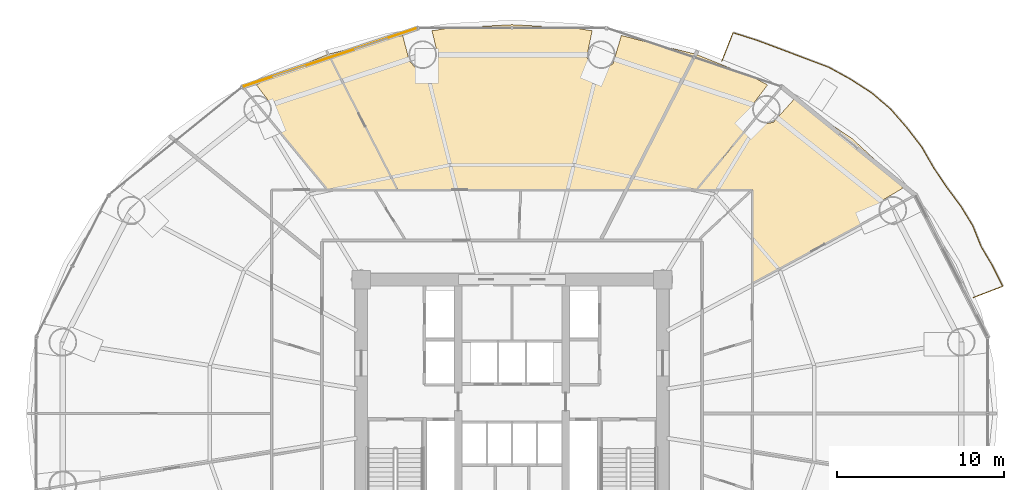
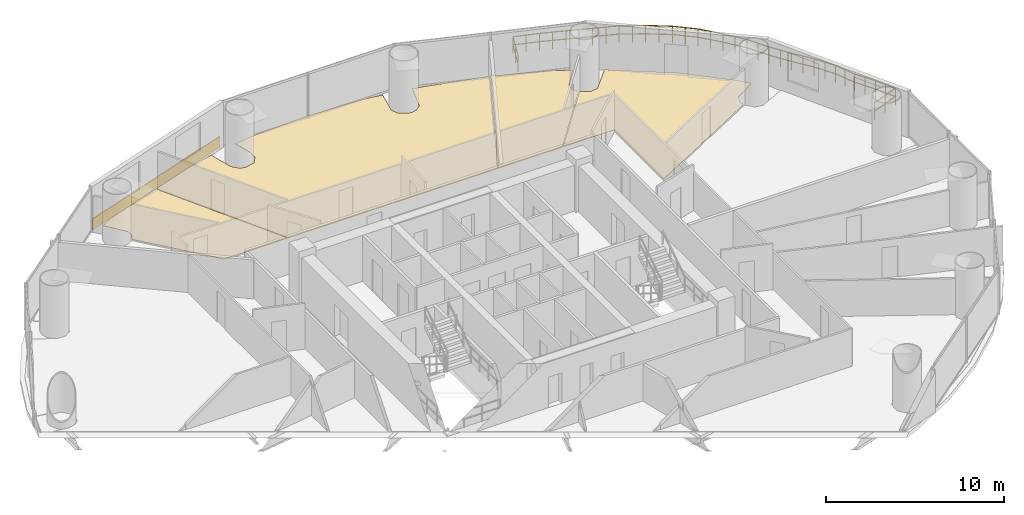
# One storey, part 29 of 29: 5 coverings, 1 railing.
"""IFC4 building model written with IfcOpenShell, lengths in metres."""

from ifc_helpers import new_model, si_unit, direction, frame, origin, origin_2d, place, context, subcontext, project, spatial, polyline, rectangle, outline, extrude, source, transform, mapped, material, layer, layer_set, type_object, element, save


model = new_model("IFC4")

# Units and contexts
model_context = context("Model", 3, precision=1e-05, world=origin(), true_north=direction((-0.2419218956, 0.970295726276)))
body_context = subcontext(model_context, "Body", "Model", "MODEL_VIEW")
ifc_project = project(units=[si_unit("LENGTHUNIT", "METRE"), si_unit("AREAUNIT", "SQUARE_METRE"), si_unit("VOLUMEUNIT", "CUBIC_METRE"), si_unit("PLANEANGLEUNIT", "RADIAN"), si_unit("MASSUNIT", "GRAM", prefix="KILO")], contexts=[model_context])

# Site, building, storey
site_placement = place(None, origin())
site = spatial("IfcSite", under=ifc_project, at=site_placement, CompositionType="ELEMENT")
building_placement = place(site_placement, origin())
building = spatial("IfcBuilding", under=site, at=building_placement, Name="Cobrevalo Terracotta Tower", CompositionType="ELEMENT")
storey_placement = place(building_placement, frame((0.0, 0.0, 70.800048828125)))
storey = spatial("IfcBuildingStorey", under=building, at=storey_placement, Name="L18", CompositionType="ELEMENT", Elevation=70.800048828125)

# Railing
ifc_material_1 = material(Name="Laminated structural glass and stainless steel", Category="steel")
railing_type = type_object("IfcRailingType", Name="Balcony lobe structural glass & terracotta-cap balustrade 1180 mm", PredefinedType="BALUSTRADE", material=ifc_material_1)
railing_placement = place(storey_placement, frame((65.560791015625, 33.728515625, 0.0)))
element("IfcRailing", 1, at=railing_placement, inside=storey, type_object=railing_type, Name="L18 spiralling balcony lobe balustrade 1", PredefinedType="BALUSTRADE", context=body_context, shape_type="SweptSolid", body=[
    extrude(rectangle(XDim=0.048095703125, YDim=0.048095703125, at=origin_2d()), frame((0.0, 0.0, 1.15576171875), z_axis=(0.933954290556, 0.35739247775, 0.0), x_axis=(-0.35739247775, 0.933954290556, 0.0)), (0.0, 0.0, 1.0), 1.866943359375),
    extrude(rectangle(XDim=0.048095703125, YDim=0.048095703125, at=origin_2d()), frame((0.0, 0.0, 0.58984375), z_axis=(0.933954290556, 0.35739247775, 0.0), x_axis=(-0.35739247775, 0.933954290556, 0.0)), (0.0, 0.0, 1.0), 1.866943359375),
    extrude(rectangle(XDim=0.048095703125, YDim=0.048095703125, at=origin_2d()), frame((1.74365234375, 0.667236328125, 1.15576171875), z_axis=(-0.446559708263, 0.894753835955, 0.0), x_axis=(-0.894753835955, -0.446559708263, 0.0)), (0.0, 0.0, 1.0), 1.344482421875),
    extrude(rectangle(XDim=0.048095703125, YDim=0.048095703125, at=origin_2d()), frame((1.74365234375, 0.667236328125, 0.58984375), z_axis=(-0.446559708263, 0.894753835955, 0.0), x_axis=(-0.894753835955, -0.446559708263, 0.0)), (0.0, 0.0, 1.0), 1.344482421875),
    extrude(rectangle(XDim=0.048095703125, YDim=0.048095703125, at=origin_2d()), frame((1.143310546875, 1.8701171875, 1.15576171875), z_axis=(-0.508643381431, 0.860977299658, 0.0), x_axis=(-0.860977299658, -0.508643381431, 0.0)), (0.0, 0.0, 1.0), 1.340087890625),
    extrude(rectangle(XDim=0.048095703125, YDim=0.048095703125, at=origin_2d()), frame((1.143310546875, 1.8701171875, 0.58984375), z_axis=(-0.508643381431, 0.860977299658, 0.0), x_axis=(-0.860977299658, -0.508643381431, 0.0)), (0.0, 0.0, 1.0), 1.340087890625),
    extrude(rectangle(XDim=0.048095703125, YDim=0.048095703125, at=origin_2d()), frame((0.461669921875, 3.02392578125, 1.15576171875), z_axis=(-0.375068994527, 0.926996898239, 0.0), x_axis=(-0.926996898239, -0.375068994527, 0.0)), (0.0, 0.0, 1.0), 1.3720703125),
    extrude(rectangle(XDim=0.048095703125, YDim=0.048095703125, at=origin_2d()), frame((0.461669921875, 3.02392578125, 0.58984375), z_axis=(-0.375068994527, 0.926996898239, 0.0), x_axis=(-0.926996898239, -0.375068994527, 0.0)), (0.0, 0.0, 1.0), 1.3720703125),
    extrude(rectangle(XDim=0.048095703125, YDim=0.048095703125, at=origin_2d()), frame((-0.052978515625, 4.2958984375, 1.15576171875), z_axis=(-0.521811507393, 0.853060813045, 0.0), x_axis=(-0.853060813045, -0.521811507393, 0.0)), (0.0, 0.0, 1.0), 1.36572265625),
    extrude(rectangle(XDim=0.048095703125, YDim=0.048095703125, at=origin_2d()), frame((-0.052978515625, 4.2958984375, 0.58984375), z_axis=(-0.521811507393, 0.853060813045, 0.0), x_axis=(-0.853060813045, -0.521811507393, 0.0)), (0.0, 0.0, 1.0), 1.36572265625),
    extrude(rectangle(XDim=0.048095703125, YDim=0.048095703125, at=origin_2d()), frame((-0.765625, 5.4609375, 1.15576171875), z_axis=(-0.597821956166, 0.801628909612, 0.0), x_axis=(-0.801628909612, -0.597821956166, 0.0)), (0.0, 0.0, 1.0), 1.38232421875),
    extrude(rectangle(XDim=0.048095703125, YDim=0.048095703125, at=origin_2d()), frame((-0.765625, 5.4609375, 0.58984375), z_axis=(-0.597821956166, 0.801628909612, 0.0), x_axis=(-0.801628909612, -0.597821956166, 0.0)), (0.0, 0.0, 1.0), 1.38232421875),
    extrude(rectangle(XDim=0.048095703125, YDim=0.048095703125, at=origin_2d()), frame((-1.592041015625, 6.569091796875, 1.15576171875), z_axis=(-0.558466109692, 0.829527337901, 0.0), x_axis=(-0.829527337901, -0.558466109692, 0.0)), (0.0, 0.0, 1.0), 1.404052734375),
    extrude(rectangle(XDim=0.048095703125, YDim=0.048095703125, at=origin_2d()), frame((-1.592041015625, 6.569091796875, 0.58984375), z_axis=(-0.558466109692, 0.829527337901, 0.0), x_axis=(-0.829527337901, -0.558466109692, 0.0)), (0.0, 0.0, 1.0), 1.404052734375),
    extrude(rectangle(XDim=0.048095703125, YDim=0.048095703125, at=origin_2d()), frame((-2.376220703125, 7.73388671875, 1.15576171875), z_axis=(-0.497268614856, 0.867596637084, 0.0), x_axis=(-0.867596637084, -0.497268614856, 0.0)), (0.0, 0.0, 1.0), 1.4423828125),
    extrude(rectangle(XDim=0.048095703125, YDim=0.048095703125, at=origin_2d()), frame((-2.376220703125, 7.73388671875, 0.58984375), z_axis=(-0.497268614856, 0.867596637084, 0.0), x_axis=(-0.867596637084, -0.497268614856, 0.0)), (0.0, 0.0, 1.0), 1.4423828125),
    extrude(rectangle(XDim=0.048095703125, YDim=0.048095703125, at=origin_2d()), frame((-3.093505859375, 8.9853515625, 1.15576171875), z_axis=(-0.610973457455, 0.79165108115, 0.0), x_axis=(-0.79165108115, -0.610973457455, 0.0)), (0.0, 0.0, 1.0), 1.466064453125),
    extrude(rectangle(XDim=0.048095703125, YDim=0.048095703125, at=origin_2d()), frame((-3.093505859375, 8.9853515625, 0.58984375), z_axis=(-0.610973457455, 0.79165108115, 0.0), x_axis=(-0.79165108115, -0.610973457455, 0.0)), (0.0, 0.0, 1.0), 1.466064453125),
    extrude(rectangle(XDim=0.048095703125, YDim=0.048095703125, at=origin_2d()), frame((-3.9892578125, 10.14599609375, 1.15576171875), z_axis=(-0.656871952191, 0.754002147494, 0.0), x_axis=(-0.754002147494, -0.656871952191, 0.0)), (0.0, 0.0, 1.0), 1.472900390625),
    extrude(rectangle(XDim=0.048095703125, YDim=0.048095703125, at=origin_2d()), frame((-3.9892578125, 10.14599609375, 0.58984375), z_axis=(-0.656871952191, 0.754002147494, 0.0), x_axis=(-0.754002147494, -0.656871952191, 0.0)), (0.0, 0.0, 1.0), 1.472900390625),
    extrude(rectangle(XDim=0.048095703125, YDim=0.048095703125, at=origin_2d()), frame((-4.956787109375, 11.256591796875, 1.15576171875), z_axis=(-0.759826028351, 0.650126454346, 0.0), x_axis=(-0.650126454346, -0.759826028351, 0.0)), (0.0, 0.0, 1.0), 1.482177734375),
    extrude(rectangle(XDim=0.048095703125, YDim=0.048095703125, at=origin_2d()), frame((-4.956787109375, 11.256591796875, 0.58984375), z_axis=(-0.759826028351, 0.650126454346, 0.0), x_axis=(-0.650126454346, -0.759826028351, 0.0)), (0.0, 0.0, 1.0), 1.482177734375),
    extrude(rectangle(XDim=0.048095703125, YDim=0.048095703125, at=origin_2d()), frame((-6.0830078125, 12.22021484375, 1.15576171875), z_axis=(-0.840834497113, 0.54129229485, 0.0), x_axis=(-0.54129229485, -0.840834497113, 0.0)), (0.0, 0.0, 1.0), 1.499755859375),
    extrude(rectangle(XDim=0.048095703125, YDim=0.048095703125, at=origin_2d()), frame((-6.0830078125, 12.22021484375, 0.58984375), z_axis=(-0.840834497113, 0.54129229485, 0.0), x_axis=(-0.54129229485, -0.840834497113, 0.0)), (0.0, 0.0, 1.0), 1.499755859375),
    extrude(rectangle(XDim=0.048095703125, YDim=0.048095703125, at=origin_2d()), frame((-7.343994140625, 13.031982421875, 1.15576171875), z_axis=(-0.875887634911, 0.482515130343, 0.0), x_axis=(-0.482515130343, -0.875887634911, 0.0)), (0.0, 0.0, 1.0), 1.49267578125),
    extrude(rectangle(XDim=0.048095703125, YDim=0.048095703125, at=origin_2d()), frame((-7.343994140625, 13.031982421875, 0.58984375), z_axis=(-0.875887634911, 0.482515130343, 0.0), x_axis=(-0.482515130343, -0.875887634911, 0.0)), (0.0, 0.0, 1.0), 1.49267578125),
    extrude(rectangle(XDim=0.048095703125, YDim=0.048095703125, at=origin_2d()), frame((-8.6513671875, 13.752197265625, 1.15576171875), z_axis=(-0.936198337969, 0.351472149656, 0.0), x_axis=(-0.351472149656, -0.936198337969, 0.0)), (0.0, 0.0, 1.0), 1.534423828125),
    extrude(rectangle(XDim=0.048095703125, YDim=0.048095703125, at=origin_2d()), frame((-8.6513671875, 13.752197265625, 0.58984375), z_axis=(-0.936198337969, 0.351472149656, 0.0), x_axis=(-0.351472149656, -0.936198337969, 0.0)), (0.0, 0.0, 1.0), 1.534423828125),
    extrude(rectangle(XDim=0.048095703125, YDim=0.048095703125, at=origin_2d()), frame((-10.087890625, 14.29150390625, 1.15576171875), z_axis=(-0.935135939184, 0.354289112514, 0.0), x_axis=(-0.354289112514, -0.935135939184, 0.0)), (0.0, 0.0, 1.0), 1.511962890625),
    extrude(rectangle(XDim=0.048095703125, YDim=0.048095703125, at=origin_2d()), frame((-10.087890625, 14.29150390625, 0.58984375), z_axis=(-0.935135939184, 0.354289112514, 0.0), x_axis=(-0.354289112514, -0.935135939184, 0.0)), (0.0, 0.0, 1.0), 1.511962890625),
    extrude(rectangle(XDim=0.048095703125, YDim=0.048095703125, at=origin_2d()), frame((-11.501708984375, 14.8271484375, 1.15576171875), z_axis=(-0.937059257897, 0.349170369863, 0.0), x_axis=(-0.349170369863, -0.937059257897, 0.0)), (0.0, 0.0, 1.0), 1.507568359375),
    extrude(rectangle(XDim=0.048095703125, YDim=0.048095703125, at=origin_2d()), frame((-11.501708984375, 14.8271484375, 0.58984375), z_axis=(-0.937059257897, 0.349170369863, 0.0), x_axis=(-0.349170369863, -0.937059257897, 0.0)), (0.0, 0.0, 1.0), 1.507568359375),
    extrude(rectangle(XDim=0.048095703125, YDim=0.048095703125, at=origin_2d()), frame((-12.914306640625, 15.353515625, 1.15576171875), z_axis=(-0.95280757695, 0.303574902299, 0.0), x_axis=(-0.303574902299, -0.95280757695, 0.0)), (0.0, 0.0, 1.0), 1.52001953125),
    extrude(rectangle(XDim=0.048095703125, YDim=0.048095703125, at=origin_2d()), frame((-12.914306640625, 15.353515625, 0.58984375), z_axis=(-0.95280757695, 0.303574902299, 0.0), x_axis=(-0.303574902299, -0.95280757695, 0.0)), (0.0, 0.0, 1.0), 1.52001953125),
    extrude(rectangle(XDim=0.048095703125, YDim=0.048095703125, at=origin_2d()), frame((-14.362548828125, 15.81494140625, 1.15576171875), z_axis=(-0.364631079954, -0.931152068962, 0.0), x_axis=(0.931152068962, -0.364631079954, 0.0)), (0.0, 0.0, 1.0), 1.8271484375),
    extrude(rectangle(XDim=0.048095703125, YDim=0.048095703125, at=origin_2d()), frame((-14.362548828125, 15.81494140625, 0.58984375), z_axis=(-0.364631079954, -0.931152068962, 0.0), x_axis=(0.931152068962, -0.364631079954, 0.0)), (0.0, 0.0, 1.0), 1.8271484375),
    extrude(rectangle(XDim=0.0419921875, YDim=0.0419921875, at=origin_2d()), origin(), (0.0, 0.0, 1.0), 1.1318359375),
    extrude(rectangle(XDim=0.0419921875, YDim=0.0419921875, at=origin_2d()), frame((0.871826171875, 0.33349609375, 0.0)), (0.0, 0.0, 1.0), 1.1318359375),
    extrude(rectangle(XDim=0.0419921875, YDim=0.0419921875, at=origin_2d()), frame((1.74365234375, 0.667236328125, 0.0)), (0.0, 0.0, 1.0), 1.1318359375),
    extrude(rectangle(XDim=0.0419921875, YDim=0.0419921875, at=origin_2d()), frame((1.443359375, 1.2685546875, 0.0)), (0.0, 0.0, 1.0), 1.1318359375),
    extrude(rectangle(XDim=0.0419921875, YDim=0.0419921875, at=origin_2d()), frame((1.143310546875, 1.8701171875, 0.0)), (0.0, 0.0, 1.0), 1.1318359375),
    extrude(rectangle(XDim=0.0419921875, YDim=0.0419921875, at=origin_2d()), frame((0.802490234375, 2.447021484375, 0.0)), (0.0, 0.0, 1.0), 1.1318359375),
    extrude(rectangle(XDim=0.0419921875, YDim=0.0419921875, at=origin_2d()), frame((0.461669921875, 3.02392578125, 0.0)), (0.0, 0.0, 1.0), 1.1318359375),
    extrude(rectangle(XDim=0.0419921875, YDim=0.0419921875, at=origin_2d()), frame((0.204345703125, 3.659912109375, 0.0)), (0.0, 0.0, 1.0), 1.1318359375),
    extrude(rectangle(XDim=0.0419921875, YDim=0.0419921875, at=origin_2d()), frame((-0.052978515625, 4.2958984375, 0.0)), (0.0, 0.0, 1.0), 1.1318359375),
    extrude(rectangle(XDim=0.0419921875, YDim=0.0419921875, at=origin_2d()), frame((-0.4091796875, 4.87841796875, 0.0)), (0.0, 0.0, 1.0), 1.1318359375),
    extrude(rectangle(XDim=0.0419921875, YDim=0.0419921875, at=origin_2d()), frame((-0.765625, 5.4609375, 0.0)), (0.0, 0.0, 1.0), 1.1318359375),
    extrude(rectangle(XDim=0.0419921875, YDim=0.0419921875, at=origin_2d()), frame((-1.1787109375, 6.01513671875, 0.0)), (0.0, 0.0, 1.0), 1.1318359375),
    extrude(rectangle(XDim=0.0419921875, YDim=0.0419921875, at=origin_2d()), frame((-1.592041015625, 6.569091796875, 0.0)), (0.0, 0.0, 1.0), 1.1318359375),
    extrude(rectangle(XDim=0.0419921875, YDim=0.0419921875, at=origin_2d()), frame((-1.984130859375, 7.1513671875, 0.0)), (0.0, 0.0, 1.0), 1.1318359375),
    extrude(rectangle(XDim=0.0419921875, YDim=0.0419921875, at=origin_2d()), frame((-2.376220703125, 7.73388671875, 0.0)), (0.0, 0.0, 1.0), 1.1318359375),
    extrude(rectangle(XDim=0.0419921875, YDim=0.0419921875, at=origin_2d()), frame((-2.73486328125, 8.359619140625, 0.0)), (0.0, 0.0, 1.0), 1.1318359375),
    extrude(rectangle(XDim=0.0419921875, YDim=0.0419921875, at=origin_2d()), frame((-3.093505859375, 8.9853515625, 0.0)), (0.0, 0.0, 1.0), 1.1318359375),
    extrude(rectangle(XDim=0.0419921875, YDim=0.0419921875, at=origin_2d()), frame((-3.54150390625, 9.565673828125, 0.0)), (0.0, 0.0, 1.0), 1.1318359375),
    extrude(rectangle(XDim=0.0419921875, YDim=0.0419921875, at=origin_2d()), frame((-3.9892578125, 10.14599609375, 0.0)), (0.0, 0.0, 1.0), 1.1318359375),
    extrude(rectangle(XDim=0.0419921875, YDim=0.0419921875, at=origin_2d()), frame((-4.47314453125, 10.701171875, 0.0)), (0.0, 0.0, 1.0), 1.1318359375),
    extrude(rectangle(XDim=0.0419921875, YDim=0.0419921875, at=origin_2d()), frame((-4.956787109375, 11.256591796875, 0.0)), (0.0, 0.0, 1.0), 1.1318359375),
    extrude(rectangle(XDim=0.0419921875, YDim=0.0419921875, at=origin_2d()), frame((-5.52001953125, 11.73828125, 0.0)), (0.0, 0.0, 1.0), 1.1318359375),
    extrude(rectangle(XDim=0.0419921875, YDim=0.0419921875, at=origin_2d()), frame((-6.0830078125, 12.22021484375, 0.0)), (0.0, 0.0, 1.0), 1.1318359375),
    extrude(rectangle(XDim=0.0419921875, YDim=0.0419921875, at=origin_2d()), frame((-6.71337890625, 12.6259765625, 0.0)), (0.0, 0.0, 1.0), 1.1318359375),
    extrude(rectangle(XDim=0.0419921875, YDim=0.0419921875, at=origin_2d()), frame((-7.343994140625, 13.031982421875, 0.0)), (0.0, 0.0, 1.0), 1.1318359375),
    extrude(rectangle(XDim=0.0419921875, YDim=0.0419921875, at=origin_2d()), frame((-7.99755859375, 13.39208984375, 0.0)), (0.0, 0.0, 1.0), 1.1318359375),
    extrude(rectangle(XDim=0.0419921875, YDim=0.0419921875, at=origin_2d()), frame((-8.6513671875, 13.752197265625, 0.0)), (0.0, 0.0, 1.0), 1.1318359375),
    extrude(rectangle(XDim=0.0419921875, YDim=0.0419921875, at=origin_2d()), frame((-9.36962890625, 14.02197265625, 0.0)), (0.0, 0.0, 1.0), 1.1318359375),
    extrude(rectangle(XDim=0.0419921875, YDim=0.0419921875, at=origin_2d()), frame((-10.087890625, 14.29150390625, 0.0)), (0.0, 0.0, 1.0), 1.1318359375),
    extrude(rectangle(XDim=0.0419921875, YDim=0.0419921875, at=origin_2d()), frame((-10.794921875, 14.559326171875, 0.0)), (0.0, 0.0, 1.0), 1.1318359375),
    extrude(rectangle(XDim=0.0419921875, YDim=0.0419921875, at=origin_2d()), frame((-11.501708984375, 14.8271484375, 0.0)), (0.0, 0.0, 1.0), 1.1318359375),
    extrude(rectangle(XDim=0.0419921875, YDim=0.0419921875, at=origin_2d()), frame((-12.2080078125, 15.09033203125, 0.0)), (0.0, 0.0, 1.0), 1.1318359375),
    extrude(rectangle(XDim=0.0419921875, YDim=0.0419921875, at=origin_2d()), frame((-12.914306640625, 15.353515625, 0.0)), (0.0, 0.0, 1.0), 1.1318359375),
    extrude(rectangle(XDim=0.0419921875, YDim=0.0419921875, at=origin_2d()), frame((-13.638427734375, 15.584228515625, 0.0)), (0.0, 0.0, 1.0), 1.1318359375),
    extrude(rectangle(XDim=0.0419921875, YDim=0.0419921875, at=origin_2d()), frame((-14.362548828125, 15.81494140625, 0.0)), (0.0, 0.0, 1.0), 1.1318359375),
    extrude(rectangle(XDim=0.0419921875, YDim=0.0419921875, at=origin_2d()), frame((-14.69580078125, 14.96435546875, 0.0)), (0.0, 0.0, 1.0), 1.1318359375),
    extrude(rectangle(XDim=0.0419921875, YDim=0.0419921875, at=origin_2d()), frame((-15.02880859375, 14.113525390625, 0.0)), (0.0, 0.0, 1.0), 1.1318359375),
])

# Coverings
ifc_material_2 = material(Name="Engineered Brazilian hardwood flooring", Category="wood")
ifc_layer_1 = layer(ifc_material_2, 0.028076171875)
ifc_layer_set_1 = layer_set([ifc_layer_1], Name="Engineered Brazilian hardwood flooring")
covering_type_1 = type_object("IfcCoveringType", Name="Engineered Hardwood Suite Flooring 28", PredefinedType="FLOORING", material=ifc_layer_set_1)
covering_1_placement = place(storey_placement, origin())
element("IfcCovering", 2, at=covering_1_placement, inside=storey, type_object=covering_type_1, Name="Flat L18A Penthouse Family Lounge floor finish", PredefinedType="FLOORING", context=body_context, shape_type="SweptSolid", body=[
    extrude(outline(polyline([(58.3095703125, 43.217529296875), (60.786376953125, 40.933837890625), (61.34423828125, 40.2587890625), (60.060791015625, 39.497802734375), (59.864990234375, 39.02587890625), (59.90234375, 38.681884765625), (52.375, 34.606201171875), (52.375, 40.175048828125), (49.054443359375, 40.175048828125), (52.531982421875, 44.392578125), (53.100341796875, 44.092529296875), (53.6025390625, 44.1875), (54.843505859375, 45.567138671875), (58.3095703125, 43.217529296875)])), origin(), (0.0, 0.0, 1.0), 0.030029296875),
])
covering_2_placement = place(storey_placement, origin())
element("IfcCovering", 3, at=covering_2_placement, inside=storey, type_object=covering_type_1, Name="Flat L18A Master Bedroom floor finish", PredefinedType="FLOORING", context=body_context, shape_type="SweptSolid", body=[
    extrude(outline(polyline([(49.002685546875, 40.175048828125), (44.859130859375, 40.175048828125), (48.9873046875, 48.251220703125), (52.361572265625, 46.908203125), (53.26318359375, 46.421142578125), (52.35498046875, 45.23095703125), (52.318115234375, 44.889404296875), (52.5048828125, 44.42236328125), (49.002685546875, 40.175048828125)])), origin(), (0.0, 0.0, 1.0), 0.030029296875),
])
covering_3_placement = place(storey_placement, origin())
element("IfcCovering", 4, at=covering_3_placement, inside=storey, type_object=covering_type_1, Name="Flat L18B Penthouse Living and Dining Room floor finish", PredefinedType="FLOORING", context=body_context, shape_type="SweptSolid", body=[
    extrude(outline(polyline([(31.472412109375, 49.37451171875), (31.8681640625, 47.85498046875), (32.210693359375, 47.475830078125), (32.533935546875, 47.35986328125), (33.1875, 47.5224609375), (33.492431640625, 47.932373046875), (33.5185546875, 48.44189453125), (33.21630859375, 49.65478515625), (34.250732421875, 49.8212890625), (38.0, 50.02001953125), (41.749267578125, 49.8212890625), (42.78369140625, 49.65478515625), (42.46533203125, 48.099853515625), (42.6845703125, 47.63818359375), (43.293701171875, 47.35107421875), (43.63330078125, 47.40185546875), (44.04345703125, 47.706787109375), (44.527587890625, 49.37451171875), (48.948974609375, 48.263671875), (44.814208984375, 40.175048828125), (31.185791015625, 40.175048828125), (27.051025390625, 48.263671875), (31.472412109375, 49.37451171875)])), origin(), (0.0, 0.0, 1.0), 0.030029296875),
])
covering_4_placement = place(storey_placement, origin())
element("IfcCovering", 5, at=covering_4_placement, inside=storey, type_object=covering_type_1, Name="Flat L18B Master Bedroom floor finish", PredefinedType="FLOORING", context=body_context, shape_type="SweptSolid", body=[
    extrude(outline(polyline([(23.4951171875, 44.42236328125), (23.681884765625, 44.889404296875), (23.64501953125, 45.23095703125), (22.73681640625, 46.421142578125), (23.638427734375, 46.908203125), (27.0126953125, 48.251220703125), (31.140869140625, 40.175048828125), (26.997314453125, 40.175048828125), (23.4951171875, 44.42236328125)])), origin(), (0.0, 0.0, 1.0), 0.030029296875),
])
ifc_material_3 = material(Name="Glazed terracotta facade cladding tile", Category="masonry")
ifc_layer_2 = layer(ifc_material_3, 0.044921875)
ifc_layer_set_2 = layer_set([ifc_layer_2], Name="Glazed terracotta facade cladding tile")
covering_type_2 = type_object("IfcCoveringType", Name="Architectural terracotta rainscreen spandrel cladding 45 mm", PredefinedType="CLADDING", material=ifc_layer_set_2)
shared_shape = source(origin(), body_context, "Body", "SweptSolid", [
    extrude(rectangle(XDim=10.8154296875, YDim=0.044921875, at=origin_2d()), origin(), (0.0, 0.0, 1.0), 0.760009765625),
])
covering_5_placement = place(storey_placement, frame((27.126708984375, 48.06689453125, 0.0400390625), z_axis=(0.0, 0.0, 1.0), x_axis=(-0.948044172593, -0.318138722592, 0.0)))
element("IfcCovering", 6, at=covering_5_placement, inside=storey, type_object=covering_type_2, Name="L18 terracotta spandrel cladding S05", PredefinedType="CLADDING", context=body_context, shape_type="MappedRepresentation", body=[
    mapped(shared_shape, transform((0.0, 0.0, 0.0), scale=1.0)),
])

save(model, "model.ifc")
